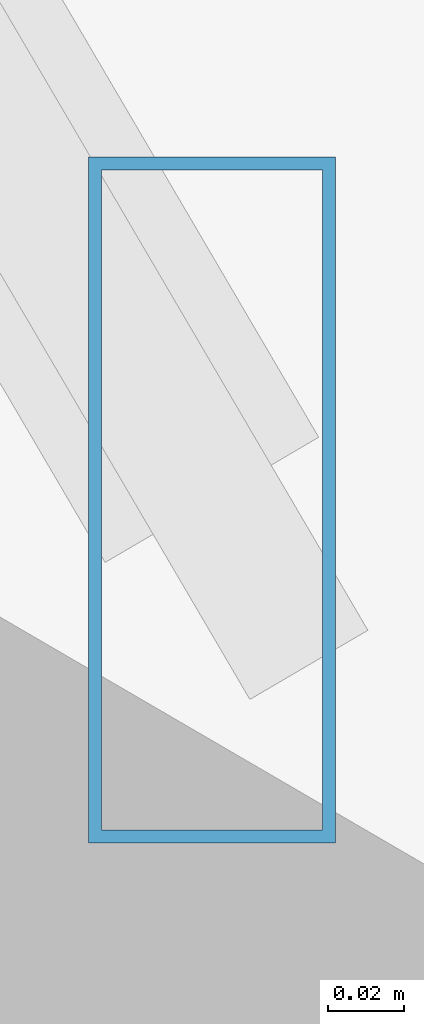
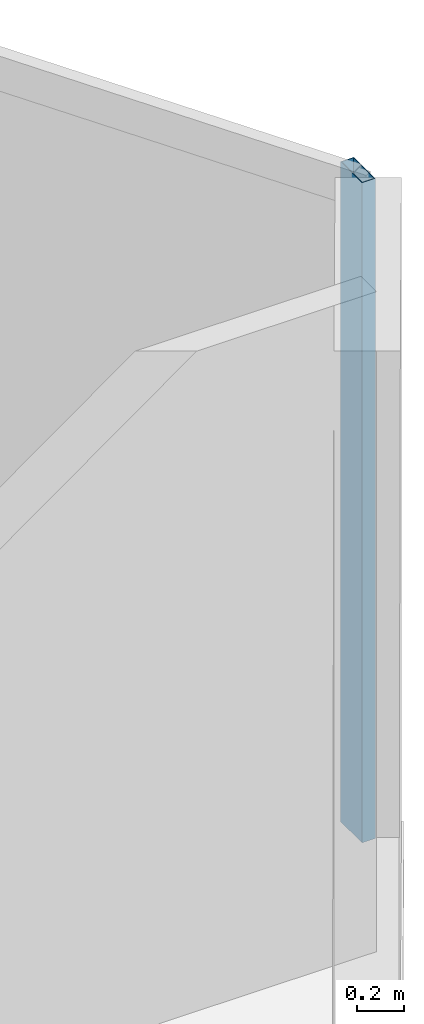
# One storey, part 16 of 33: 1 member, 1 element without a shape of its own.
"""IFC4 building model written with IfcOpenShell, lengths in metres."""

from ifc_helpers import new_model, si_unit, direction, frame, origin, origin_2d, place, context, subcontext, project, spatial, hollow_rectangle, extrude, source, transform, mapped, material, material_profile, profile_set, type_object, type_shapes, element, aggregate, save


model = new_model("IFC4")

# Units and contexts
model_context = context("Model", 3, precision=1e-05, world=origin(), true_north=direction((0.0, 1.0)))
body_context = subcontext(model_context, "Body", "Model", "MODEL_VIEW")
ifc_project = project(units=[si_unit("LENGTHUNIT", "METRE"), si_unit("AREAUNIT", "SQUARE_METRE"), si_unit("VOLUMEUNIT", "CUBIC_METRE"), si_unit("PLANEANGLEUNIT", "RADIAN"), si_unit("MASSUNIT", "GRAM", prefix="KILO")], contexts=[model_context])

# Site, building, storey
site_placement = place(None, origin())
site = spatial("IfcSite", under=ifc_project, at=site_placement, CompositionType="ELEMENT")
building_placement = place(site_placement, origin())
building = spatial("IfcBuilding", under=site, at=building_placement, Name="Caelisora Broadcast Tower", CompositionType="ELEMENT")
storey_placement = place(building_placement, frame((0.0, 0.0, 34.89990234375)))
storey = spatial("IfcBuildingStorey", under=building, at=storey_placement, Name="L08", CompositionType="ELEMENT", Elevation=34.89990234375)

# Curtain wall, member
ifc_material_1 = material(Name="Unitised Aluminium and Low-E Glass Curtain Wall", Category="glass")
curtain_wall_type = type_object("IfcCurtainWallType", Name="CW-Z1", PredefinedType="NOTDEFINED", material=ifc_material_1)
curtain_wall_placement = place(storey_placement, origin())
curtain_wall = element("IfcCurtainWall", 1, at=curtain_wall_placement, inside=storey, type_object=curtain_wall_type, Name="L08 curtain wall CW-Z1", PredefinedType="NOTDEFINED")
ifc_material_2 = material(Name="Aluminium 6063-T6 Anodised Terracotta Bronze", Category="aluminium")
ifc_material_profile = material_profile(ifc_material_2, hollow_rectangle(XDim=0.06494140625, YDim=0.179931640625, WallThickness=0.00341796875, at=origin_2d()), Name="Aluminium 6063-T6 Anodised Terracotta Bronze")
ifc_profile_set = profile_set([ifc_material_profile], Name="Aluminium 6063-T6 Anodised Terracotta Bronze")
member_type = type_object("IfcMemberType", Name="CWM-02", PredefinedType="MULLION", material=ifc_profile_set)
shared_shape = source(origin(), body_context, "Body", "SweptSolid", [
    extrude(hollow_rectangle(XDim=0.06494140625, YDim=0.179931640625, WallThickness=0.00341796875, at=origin_2d()), origin(), (0.0, 0.0, 1.0), 3.400146484375),
])
type_shapes(member_type, [shared_shape])
member_placement = place(storey_placement, frame((64.66259765625, 17.84912109375, 0.0), z_axis=(0.0, 0.0, 1.0), x_axis=(1.0, 0.0, 0.0)))
member = element("IfcMember", 2, at=member_placement, type_object=member_type, Name="L08-CW-B03 mullion #3", PredefinedType="MULLION", context=body_context, shape_type="MappedRepresentation", body=[
    mapped(shared_shape, transform((0.0, 0.0, 0.0), scale=1.0)),
])
aggregate(curtain_wall, [member])

save(model, "model.ifc")
